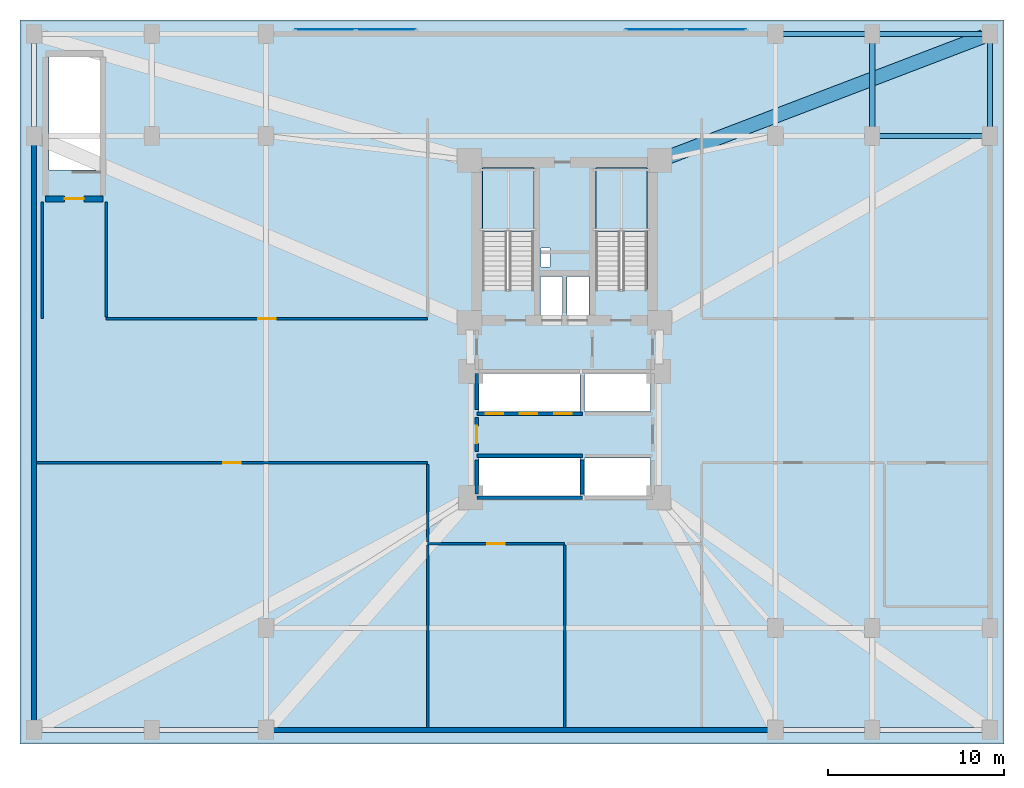
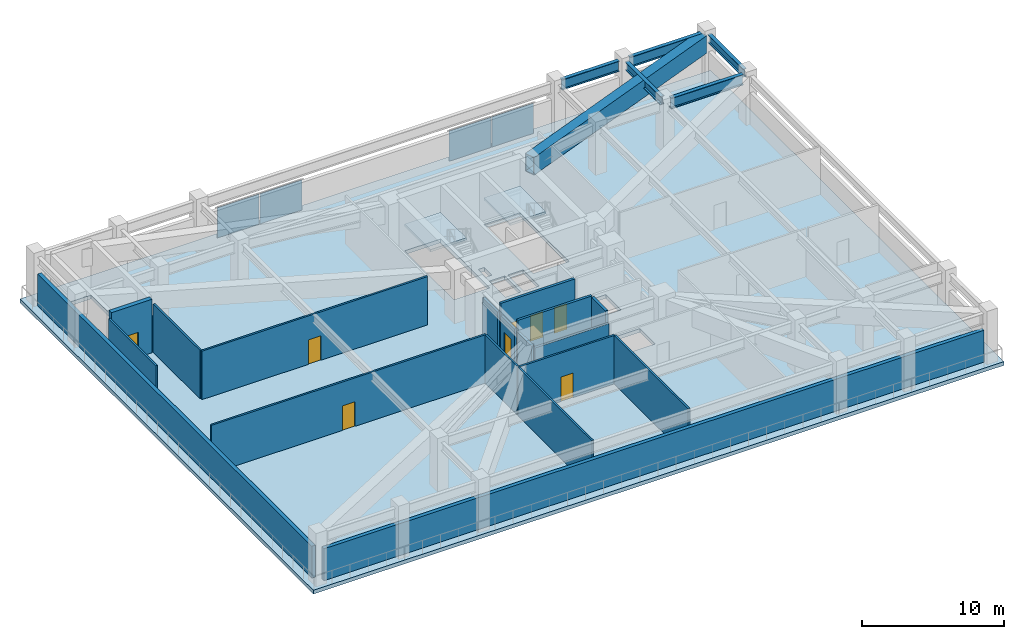
# One storey, part 5 of 9: 18 walls, 8 doors, 6 beams, 4 plates, 3 slabs, 8 openings, 4 elements without a shape of their own.
"""IFC4 building model written with IfcOpenShell, lengths in metres."""

from ifc_helpers import new_model, si_unit, direction, frame, frame_2d, origin, origin_2d, place, context, subcontext, project, spatial, polyline, rectangle, hollow_rectangle, i_section, outline, extrude, source, transform, mapped, material, layer, layer_set, material_profile, profile_set, type_object, type_shapes, element, fill, aggregate, save


model = new_model("IFC4")

# Units and contexts
model_context = context("Model", 3, precision=1e-05, world=origin(), true_north=direction((0.0, 1.0)))
body_context = subcontext(model_context, "Body", "Model", "MODEL_VIEW")
ifc_project = project(units=[si_unit("LENGTHUNIT", "METRE"), si_unit("AREAUNIT", "SQUARE_METRE"), si_unit("VOLUMEUNIT", "CUBIC_METRE"), si_unit("PLANEANGLEUNIT", "RADIAN"), si_unit("MASSUNIT", "GRAM", prefix="KILO")], contexts=[model_context])

# Site, building, storey
site_placement = place(None, origin())
site = spatial("IfcSite", under=ifc_project, at=site_placement, CompositionType="ELEMENT")
building_placement = place(site_placement, origin())
building = spatial("IfcBuilding", under=site, at=building_placement, Name="Varnakorn Sky Granary", CompositionType="ELEMENT")
storey_placement = place(building_placement, frame((0.0, 0.0, 23.0)))
storey = spatial("IfcBuildingStorey", under=building, at=storey_placement, Name="L05", CompositionType="ELEMENT", Elevation=23.0)

# Beams
ifc_material_1 = material(Name="Steel S355JR", Category="steel")
ifc_material_profile_1 = material_profile(ifc_material_1, i_section(OverallWidth=0.300048828125, OverallDepth=0.699951171875, WebThickness=0.01708984375, FlangeThickness=0.031982421875, at=origin_2d()), Name="HE 700 B")
ifc_profile_set_1 = profile_set([ifc_material_profile_1], Name="Steel S355JR")
beam_type_1 = type_object("IfcBeamType", Name="BM-PG-700", PredefinedType="T_BEAM", material=ifc_profile_set_1)
for number, where, z_axis, x_axis, name in (
    (1, (20.5, 14.419921875, 3.800048828125), (0.0, 1.0, 0.0), (-1.0, 0.0, 0.0), "Podium Y-Girder GY29 L05"),
    (2, (27.199951171875, 14.419921875, 3.800048828125), (0.0, 1.0, 0.0), (-1.0, 0.0, 0.0), "Podium Y-Girder GY32 L05"),
):
    element("IfcBeam", number, at=place(storey_placement, frame(where, z_axis=z_axis, x_axis=x_axis)), inside=storey, type_object=beam_type_1, Name=name, PredefinedType="T_BEAM", context=body_context, shape_type="SweptSolid", body=[
        extrude(i_section(OverallWidth=0.300048828125, OverallDepth=0.699951171875, WebThickness=0.01708984375, FlangeThickness=0.031982421875, at=origin_2d()), origin(), (0.0, 0.0, 1.0), 4.9599609375),
    ])
ifc_material_profile_2 = material_profile(ifc_material_1, i_section(OverallWidth=0.300048828125, OverallDepth=0.89990234375, WebThickness=0.0185546875, FlangeThickness=0.034912109375, at=origin_2d()), Name="HE 900 B")
ifc_profile_set_2 = profile_set([ifc_material_profile_2], Name="Steel S355JR")
beam_type_2 = type_object("IfcBeamType", Name="BM-PG-900", PredefinedType="BEAM", material=ifc_profile_set_2)
beam_1_placement = place(storey_placement, frame((20.919921875, 14.0, 3.699951171875), z_axis=(1.0, 0.0, 0.0), x_axis=(0.0, 1.0, 0.0)))
element("IfcBeam", 3, at=beam_1_placement, inside=storey, type_object=beam_type_2, Name="Podium X-Girder GX13 L05", PredefinedType="BEAM", context=body_context, shape_type="SweptSolid", body=[
    extrude(i_section(OverallWidth=0.300048828125, OverallDepth=0.89990234375, WebThickness=0.0185546875, FlangeThickness=0.034912109375, at=origin_2d()), origin(), (0.0, 0.0, 1.0), 5.860107421875),
])
beam_2_placement = place(storey_placement, frame((15.419921875, 19.800048828125, 3.699951171875), z_axis=(1.0, 0.0, 0.0), x_axis=(0.0, 1.0, 0.0)))
element("IfcBeam", 4, at=beam_2_placement, inside=storey, type_object=beam_type_2, Name="Podium X-Girder GX17 L05", PredefinedType="BEAM", context=body_context, shape_type="SweptSolid", body=[
    extrude(i_section(OverallWidth=0.300048828125, OverallDepth=0.89990234375, WebThickness=0.0185546875, FlangeThickness=0.034912109375, at=origin_2d()), origin(), (0.0, 0.0, 1.0), 4.66015625),
])
beam_3_placement = place(storey_placement, frame((20.919921875, 19.800048828125, 3.699951171875), z_axis=(1.0, 0.0, 0.0), x_axis=(0.0, 1.0, 0.0)))
element("IfcBeam", 5, at=beam_3_placement, inside=storey, type_object=beam_type_2, Name="Podium X-Girder GX18 L05", PredefinedType="BEAM", context=body_context, shape_type="SweptSolid", body=[
    extrude(i_section(OverallWidth=0.300048828125, OverallDepth=0.89990234375, WebThickness=0.0185546875, FlangeThickness=0.034912109375, at=origin_2d()), origin(), (0.0, 0.0, 1.0), 5.860107421875),
])
ifc_material_2 = material(Name="Steel S460M", Category="steel")
ifc_material_profile_3 = material_profile(ifc_material_2, hollow_rectangle(XDim=0.800048828125, YDim=1.5, WallThickness=0.0400390625, at=origin_2d()), Name="BOX 800x1500x40")
ifc_profile_set_3 = profile_set([ifc_material_profile_3], Name="Steel S460M")
beam_type_3 = type_object("IfcBeamType", Name="BM-TB-1500", PredefinedType="BEAM", material=ifc_profile_set_3)
beam_4_placement = place(storey_placement, frame((8.812255859375, 12.77001953125, 3.39990234375), z_axis=(0.93406389454, 0.357105923946, 0.0), x_axis=(-0.357105923946, 0.93406389454, 0.0)))
element("IfcBeam", 6, at=beam_4_placement, inside=storey, type_object=beam_type_3, Name="Podium Drum Transfer Box Girder 8", PredefinedType="BEAM", context=body_context, shape_type="SweptSolid", body=[
    extrude(hollow_rectangle(XDim=0.800048828125, YDim=1.5, WallThickness=0.0400390625, at=origin_2d()), origin(), (0.0, 0.0, 1.0), 19.265625),
])

# Stair, slab
ifc_material_3 = material(Name="Concrete C40/50", Category="concrete")
stair_type = type_object("IfcStairType", Name="ST-MAIN-ASSEMBLY", PredefinedType="HALF_TURN_STAIR", material=ifc_material_3)
stair_1_placement = place(storey_placement, origin())
stair_1 = element("IfcStair", 7, at=stair_1_placement, inside=storey, type_object=stair_type, Name="L05 Protected Exit Stair ST-1", PredefinedType="HALF_TURN_STAIR")
ifc_layer_1 = layer(ifc_material_3, 0.199951171875, Name="Concrete C40/50")
ifc_layer_set_1 = layer_set([ifc_layer_1], Name="Concrete C40/50")
slab_type_1 = type_object("IfcSlabType", Name="ST-MAIN-LAND", PredefinedType="LANDING", material=ifc_layer_set_1)
slab_1_placement = place(storey_placement, frame((0.0, 0.0, 2.10009765625)))
slab_1 = element("IfcSlab", 8, at=slab_1_placement, type_object=slab_type_1, Name="ST-1 landing 1", PredefinedType="LANDING", context=body_context, shape_type="SweptSolid", body=[
    extrude(outline(polyline([(1.239990234375, 8.56005859375), (1.239990234375, 12.179931640625), (-1.669921875, 12.179931640625), (-1.669921875, 8.56005859375), (1.239990234375, 8.56005859375)])), origin(), (0.0, 0.0, 1.0), 0.199951171875),
])
aggregate(stair_1, [slab_1])

stair_2_placement = place(storey_placement, origin())
stair_2 = element("IfcStair", 9, at=stair_2_placement, inside=storey, type_object=stair_type, Name="L05 Protected Exit Stair ST-2", PredefinedType="HALF_TURN_STAIR")
slab_2_placement = place(storey_placement, frame((0.0, 0.0, 2.10009765625)))
slab_2 = element("IfcSlab", 10, at=slab_2_placement, type_object=slab_type_1, Name="ST-2 landing 1", PredefinedType="LANDING", context=body_context, shape_type="SweptSolid", body=[
    extrude(outline(polyline([(7.679931640625, 8.56005859375), (7.679931640625, 12.179931640625), (4.77001953125, 12.179931640625), (4.77001953125, 8.56005859375), (7.679931640625, 8.56005859375)])), origin(), (0.0, 0.0, 1.0), 0.199951171875),
])
aggregate(stair_2, [slab_2])

# Slab
ifc_material_4 = material(Name="Concrete C50/60", Category="concrete")
ifc_layer_2 = layer(ifc_material_4, 0.320068359375, Name="Concrete C50/60")
ifc_layer_set_2 = layer_set([ifc_layer_2], Name="Concrete C50/60")
slab_type_2 = type_object("IfcSlabType", Name="ST-SL-POD-320", PredefinedType="FLOOR", material=ifc_layer_set_2)
slab_3_placement = place(storey_placement, frame((0.0, 0.0, -0.320068359375)))
element("IfcSlab", 11, at=slab_3_placement, inside=storey, type_object=slab_type_2, Name="Level L05 Structural Floor Slab", PredefinedType="FLOOR", context=body_context, shape_type="SweptSolid", body=[
    extrude(outline(polyline([(-28.0, -20.60009765625), (28.0, -20.60009765625), (28.0, 20.60009765625), (-28.0, 20.60009765625), (-28.0, -20.60009765625)]), holes=[polyline([(1.239990234375, 5.27490234375), (1.239990234375, 12.179931640625), (-1.669921875, 12.179931640625), (-1.669921875, 5.27490234375), (1.239990234375, 5.27490234375)]), polyline([(7.679931640625, 5.27490234375), (7.679931640625, 12.179931640625), (4.77001953125, 12.179931640625), (4.77001953125, 5.27490234375), (7.679931640625, 5.27490234375)]), polyline([(-23.449951171875, 12.054931640625), (-23.449951171875, 18.5), (-26.360107421875, 18.5), (-26.360107421875, 12.054931640625), (-23.449951171875, 12.054931640625)]), polyline([(1.659912109375, 6.550048828125), (2.14990234375, 6.550048828125), (2.14990234375, 7.6201171875), (1.659912109375, 7.6201171875), (1.659912109375, 6.550048828125)]), polyline([(1.6201171875, 3.739990234375), (2.8798828125, 3.739990234375), (2.8798828125, 6.010009765625), (1.6201171875, 6.010009765625), (1.6201171875, 3.739990234375)]), polyline([(3.1201171875, 3.739990234375), (4.3798828125, 3.739990234375), (4.3798828125, 6.010009765625), (3.1201171875, 6.010009765625), (3.1201171875, 3.739990234375)]), polyline([(-1.8798828125, -1.679931640625), (3.8798828125, -1.679931640625), (3.8798828125, 0.47998046875), (-1.8798828125, 0.47998046875), (-1.8798828125, -1.679931640625)]), polyline([(4.1201171875, -1.679931640625), (7.8798828125, -1.679931640625), (7.8798828125, 0.47998046875), (4.1201171875, 0.47998046875), (4.1201171875, -1.679931640625)]), polyline([(-1.8798828125, -6.47998046875), (3.8798828125, -6.47998046875), (3.8798828125, -4.320068359375), (-1.8798828125, -4.320068359375), (-1.8798828125, -6.47998046875)]), polyline([(4.1201171875, -6.47998046875), (7.8798828125, -6.47998046875), (7.8798828125, -4.320068359375), (4.1201171875, -4.320068359375), (4.1201171875, -6.47998046875)])]), origin(), (0.0, 0.0, 1.0), 0.320068359375),
])

# Curtain wall, plates
ifc_material_5 = material(Name="Anodised Bronze Aluminium Alloy 6063-T6", Category="aluminium")
ifc_layer_3 = layer(ifc_material_5, 0.2099609375, Name="Anodised Bronze Aluminium Alloy 6063-T6")
ifc_layer_set_3 = layer_set([ifc_layer_3], Name="Anodised Bronze Aluminium Alloy 6063-T6")
curtain_wall_type = type_object("IfcCurtainWallType", Name="CW-POD-2", PredefinedType="USERDEFINED", material=ifc_layer_set_3)
curtain_wall_1_placement = place(storey_placement, origin())
curtain_wall_1 = element("IfcCurtainWall", 12, at=curtain_wall_1_placement, inside=storey, type_object=curtain_wall_type, Name="Unitised Curtain Wall CW2 CW-L05-P1", ObjectType="CURTAIN WALL", PredefinedType="USERDEFINED")
ifc_material_6 = material(Name="Low-E Tinted Laminated Glass", Category="glass")
ifc_layer_4 = layer(ifc_material_6, 0.030029296875, Name="Low-E Tinted Laminated Glass")
ifc_layer_set_4 = layer_set([ifc_layer_4], Name="Low-E Tinted Laminated Glass")
plate_type = type_object("IfcPlateType", Name="CW-POD-2-PNL", PredefinedType="CURTAIN_PANEL")
shared_shape = source(origin(), body_context, "Body", "SweptSolid", [
    extrude(rectangle(XDim=3.387451171875, YDim=0.030029296875, at=origin_2d()), origin(), (0.0, 0.0, 1.0), 2.590087890625),
])
type_shapes(plate_type, [shared_shape])
plate_1_placement = place(storey_placement, frame((-10.63134765625, 20.050048828125, 0.06982421875), z_axis=(0.0, 0.0, 1.0), x_axis=(1.0, 0.0, 0.0)))
plate_1 = element("IfcPlate", 13, at=plate_1_placement, type_object=plate_type, material=ifc_layer_set_4, Name="CW2 vision glazing unit 1.1", PredefinedType="CURTAIN_PANEL", context=body_context, shape_type="MappedRepresentation", body=[
    mapped(shared_shape, transform((0.0, 0.0, 0.0), x_axis=(1.0, 0.0, 0.0), y_axis=(0.0, 1.0, 0.0), z_axis=(0.0, 0.0, 1.0), scale=1.0)),
])
plate_2_placement = place(storey_placement, frame((-7.168701171875, 20.050048828125, 0.06982421875), z_axis=(0.0, 0.0, 1.0), x_axis=(1.0, 0.0, 0.0)))
plate_2 = element("IfcPlate", 14, at=plate_2_placement, type_object=plate_type, material=ifc_layer_set_4, Name="CW2 vision glazing unit 2.1", PredefinedType="CURTAIN_PANEL", context=body_context, shape_type="MappedRepresentation", body=[
    mapped(shared_shape, transform((0.0, 0.0, 0.0), x_axis=(1.0, 0.0, 0.0), y_axis=(0.0, 1.0, 0.0), z_axis=(0.0, 0.0, 1.0), scale=1.0)),
])
aggregate(curtain_wall_1, [plate_1, plate_2])

curtain_wall_2_placement = place(storey_placement, origin())
curtain_wall_2 = element("IfcCurtainWall", 15, at=curtain_wall_2_placement, inside=storey, type_object=curtain_wall_type, Name="Unitised Curtain Wall CW2 CW-L05-P2", ObjectType="CURTAIN WALL", PredefinedType="USERDEFINED")
plate_3_placement = place(storey_placement, frame((8.168701171875, 20.050048828125, 0.06982421875), z_axis=(0.0, 0.0, 1.0), x_axis=(1.0, 0.0, 0.0)))
plate_3 = element("IfcPlate", 16, at=plate_3_placement, type_object=plate_type, material=ifc_layer_set_4, Name="CW2 vision glazing unit 1.1", PredefinedType="CURTAIN_PANEL", context=body_context, shape_type="MappedRepresentation", body=[
    mapped(shared_shape, transform((0.0, 0.0, 0.0), x_axis=(1.0, 0.0, 0.0), y_axis=(0.0, 1.0, 0.0), z_axis=(0.0, 0.0, 1.0), scale=1.0)),
])
plate_4_placement = place(storey_placement, frame((11.63134765625, 20.050048828125, 0.06982421875), z_axis=(0.0, 0.0, 1.0), x_axis=(1.0, 0.0, 0.0)))
plate_4 = element("IfcPlate", 17, at=plate_4_placement, type_object=plate_type, material=ifc_layer_set_4, Name="CW2 vision glazing unit 2.1", PredefinedType="CURTAIN_PANEL", context=body_context, shape_type="MappedRepresentation", body=[
    mapped(shared_shape, transform((0.0, 0.0, 0.0), x_axis=(1.0, 0.0, 0.0), y_axis=(0.0, 1.0, 0.0), z_axis=(0.0, 0.0, 1.0), scale=1.0)),
])
aggregate(curtain_wall_2, [plate_3, plate_4])

# Wall, opening, door
ifc_layer_5 = layer(ifc_material_4, 0.35009765625, Name="Concrete C50/60")
ifc_layer_set_5 = layer_set([ifc_layer_5], Name="Concrete C50/60")
wall_type_1 = type_object("IfcWallType", Name="WT-CW-INT-350", PredefinedType="SHEAR", material=ifc_layer_set_5)
wall_1_placement = place(storey_placement, frame((-26.550048828125, 10.419921875, 0.0), z_axis=(0.0, 0.0, 1.0), x_axis=(1.0, 0.0, 0.0)))
wall_1 = element("IfcWall", 18, at=wall_1_placement, inside=storey, type_object=wall_type_1, Name="Podium Stair ST-B3 South Wall L05", PredefinedType="SHEAR", context=body_context, shape_type="SweptSolid", body=[
    extrude(rectangle(XDim=3.280029296875, YDim=0.35009765625, at=frame_2d((1.64013671875, 0.0))), origin(), (0.0, 0.0, 1.0), 4.592041015625),
])
opening_1_placement = place(wall_1_placement, frame((1.090087890625, 0.0, 0.0)))
opening_1 = element("IfcOpeningElement", 19, at=opening_1_placement, cuts=wall_1, Name="Opening FD-90", PredefinedType="OPENING", context=body_context, shape_type="SweptSolid", body=[
    extrude(rectangle(XDim=1.10009765625, YDim=2.14990234375, at=frame_2d((0.550048828125, 1.074951171875))), frame((0.0, 0.18505859375, 0.0), z_axis=(0.0, -1.0, 0.0), x_axis=(1.0, 0.0, 0.0)), (0.0, 0.0, 1.0), 0.3701171875),
])
ifc_material_7 = material(Name="Galvanised Painted Steel Leaf", Category="steel")
door_type_1 = type_object("IfcDoorType", Name="DR-STAIR-1100", OperationType="NOTDEFINED", PredefinedType="DOOR", material=ifc_material_7)
door_1_placement = place(opening_1_placement, origin())
door_1 = element("IfcDoor", 20, at=door_1_placement, inside=storey, type_object=door_type_1, Name="Basement Stair ST-B3 Protected Fire Door L05", OperationType="SINGLE_SWING_LEFT", OverallHeight=2.14990234375, OverallWidth=1.10009765625, PredefinedType="DOOR", context=body_context, shape_type="SweptSolid", body=[
    extrude(rectangle(XDim=1.10009765625, YDim=2.14990234375, at=frame_2d((0.550048828125, 1.074951171875))), frame((0.0, 0.02490234375, 0.0), z_axis=(0.0, -1.0, 0.0), x_axis=(1.0, 0.0, 0.0)), (0.0, 0.0, 1.0), 0.050048828125),
])
fill(opening_1, door_1)

# Walls
ifc_material_8 = material(Name="Precast concrete C40/50", Category="concrete")
ifc_layer_6 = layer(ifc_material_8, 0.300048828125, Name="Precast concrete C40/50")
ifc_layer_set_6 = layer_set([ifc_layer_6], Name="Precast concrete C40/50")
wall_type_2 = type_object("IfcWallType", Name="WT-EW-POD-300", PredefinedType="SOLIDWALL", material=ifc_layer_set_6)
wall_2_placement = place(storey_placement, frame((-27.199951171875, -19.2548828125, 0.0), z_axis=(0.0, 0.0, 1.0), x_axis=(0.0, 1.0, 0.0)))
element("IfcWall", 21, at=wall_2_placement, inside=storey, type_object=wall_type_2, Name="Podium Exterior Facade Wall L05-W", PredefinedType="SOLIDWALL", context=body_context, shape_type="SweptSolid", body=[
    extrude(rectangle(XDim=38.509765625, YDim=0.300048828125, at=frame_2d((19.2548828125, 0.0))), origin(), (0.0, 0.0, 1.0), 2.72998046875),
])
wall_3_placement = place(storey_placement, frame((26.7548828125, -19.800048828125, 0.0), z_axis=(0.0, 0.0, 1.0), x_axis=(-1.0, 0.0, 0.0)))
element("IfcWall", 22, at=wall_3_placement, inside=storey, type_object=wall_type_2, Name="Podium Exterior Facade Wall L05-S", PredefinedType="SOLIDWALL", context=body_context, shape_type="SweptSolid", body=[
    extrude(rectangle(XDim=53.509765625, YDim=0.300048828125, at=frame_2d((26.7548828125, 0.0))), origin(), (0.0, 0.0, 1.0), 2.72998046875),
])

# Wall, opening, door
ifc_material_9 = material(Name="Autoclaved Aerated Concrete Blockwork", Category="masonry")
ifc_layer_7 = layer(ifc_material_9, 0.199951171875, Name="Autoclaved Aerated Concrete Blockwork")
ifc_layer_set_7 = layer_set([ifc_layer_7], Name="Autoclaved Aerated Concrete Blockwork")
wall_type_3 = type_object("IfcWallType", Name="WT-FIRE-200", PredefinedType="MOVABLE", material=ifc_layer_set_7)
wall_4_placement = place(storey_placement, frame((-2.0, -3.969970703125, 0.0), z_axis=(0.0, 0.0, 1.0), x_axis=(0.0, 1.0, 0.0)))
wall_4 = element("IfcWall", 23, at=wall_4_placement, inside=storey, type_object=wall_type_3, Name="Interior Partition Wall L05-019", PredefinedType="MOVABLE", context=body_context, shape_type="SweptSolid", body=[
    extrude(rectangle(XDim=1.93994140625, YDim=0.199951171875, at=frame_2d((0.969970703125, 0.0))), origin(), (0.0, 0.0, 1.0), 3.23193359375),
])
opening_2_placement = place(wall_4_placement, frame((0.469970703125, 0.0, 0.0)))
opening_2 = element("IfcOpeningElement", 24, at=opening_2_placement, cuts=wall_4, Name="Opening FD-60", PredefinedType="OPENING", context=body_context, shape_type="SweptSolid", body=[
    extrude(rectangle(XDim=1.0, YDim=2.10009765625, at=frame_2d((0.5, 1.050048828125))), frame((0.0, 0.10986328125, 0.0), z_axis=(0.0, -1.0, 0.0), x_axis=(1.0, 0.0, 0.0)), (0.0, 0.0, 1.0), 0.219970703125),
])
ifc_material_10 = material(Name="Acoustic Timber Fire Leaf", Category="wood")
door_type_2 = type_object("IfcDoorType", Name="DR-FD60-1000", OperationType="NOTDEFINED", PredefinedType="DOOR", material=ifc_material_10)
door_2_placement = place(opening_2_placement, origin())
door_2 = element("IfcDoor", 25, at=door_2_placement, inside=storey, type_object=door_type_2, Name="Interior Door L05-019-1", OperationType="SINGLE_SWING_RIGHT", OverallHeight=2.10009765625, OverallWidth=1.0, PredefinedType="DOOR", context=body_context, shape_type="SweptSolid", body=[
    extrude(rectangle(XDim=1.0, YDim=2.10009765625, at=frame_2d((0.5, 1.050048828125))), frame((0.0, 0.02490234375, 0.0), z_axis=(0.0, -1.0, 0.0), x_axis=(1.0, 0.0, 0.0)), (0.0, 0.0, 1.0), 0.050048828125),
])
fill(opening_2, door_2)

ifc_material_11 = material(Name="Gypsum Plasterboard on Steel Stud", Category="steel")
ifc_layer_8 = layer(ifc_material_11, 0.14990234375, Name="Gypsum Plasterboard on Steel Stud")
ifc_layer_set_8 = layer_set([ifc_layer_8], Name="Gypsum Plasterboard on Steel Stud")
wall_type_4 = type_object("IfcWallType", Name="WT-PART-150", PredefinedType="PARTITIONING", material=ifc_layer_set_8)
wall_5_placement = place(storey_placement, frame((-4.800048828125, 3.60009765625, 0.0), z_axis=(0.0, 0.0, 1.0), x_axis=(-1.0, 0.0, 0.0)))
wall_5 = element("IfcWall", 26, at=wall_5_placement, inside=storey, type_object=wall_type_4, Name="Interior Partition Wall L05-021", PredefinedType="PARTITIONING", context=body_context, shape_type="SweptSolid", body=[
    extrude(rectangle(XDim=18.300048828125, YDim=0.14990234375, at=frame_2d((9.14990234375, 0.0))), origin(), (0.0, 0.0, 1.0), 4.14990234375),
])
opening_3_placement = place(wall_5_placement, frame((8.64990234375, 0.0, 0.0)))
opening_3 = element("IfcOpeningElement", 27, at=opening_3_placement, cuts=wall_5, Name="Opening ID-100", PredefinedType="OPENING", context=body_context, shape_type="SweptSolid", body=[
    extrude(rectangle(XDim=1.0, YDim=2.10009765625, at=frame_2d((0.5, 1.050048828125))), frame((0.0, 0.0849609375, 0.0), z_axis=(0.0, -1.0, 0.0), x_axis=(1.0, 0.0, 0.0)), (0.0, 0.0, 1.0), 0.169921875),
])
ifc_material_12 = material(Name="Solid-Core Teak Veneer Leaf", Category="timber")
door_type_3 = type_object("IfcDoorType", Name="DR-INT-1000", OperationType="NOTDEFINED", PredefinedType="DOOR", material=ifc_material_12)
door_3_placement = place(opening_3_placement, origin())
door_3 = element("IfcDoor", 28, at=door_3_placement, inside=storey, type_object=door_type_3, Name="Interior Door L05-021-1", OperationType="SINGLE_SWING_RIGHT", OverallHeight=2.10009765625, OverallWidth=1.0, PredefinedType="DOOR", context=body_context, shape_type="SweptSolid", body=[
    extrude(rectangle(XDim=1.0, YDim=2.10009765625, at=frame_2d((0.5, 1.050048828125))), frame((0.0, 0.02490234375, 0.0), z_axis=(0.0, -1.0, 0.0), x_axis=(1.0, 0.0, 0.0)), (0.0, 0.0, 1.0), 0.050048828125),
])
fill(opening_3, door_3)

wall_6_placement = place(storey_placement, frame((-27.050048828125, -4.60009765625, 0.0), z_axis=(0.0, 0.0, 1.0), x_axis=(1.0, 0.0, 0.0)))
wall_6 = element("IfcWall", 29, at=wall_6_placement, inside=storey, type_object=wall_type_4, Name="Interior Partition Wall L05-023", PredefinedType="PARTITIONING", context=body_context, shape_type="SweptSolid", body=[
    extrude(rectangle(XDim=22.25, YDim=0.14990234375, at=frame_2d((11.125, 0.0))), origin(), (0.0, 0.0, 1.0), 4.14990234375),
])
opening_4_placement = place(wall_6_placement, frame((10.625, 0.0, 0.0)))
opening_4 = element("IfcOpeningElement", 30, at=opening_4_placement, cuts=wall_6, Name="Opening ID-100", PredefinedType="OPENING", context=body_context, shape_type="SweptSolid", body=[
    extrude(rectangle(XDim=1.0, YDim=2.10009765625, at=frame_2d((0.5, 1.050048828125))), frame((0.0, 0.0849609375, 0.0), z_axis=(0.0, -1.0, 0.0), x_axis=(1.0, 0.0, 0.0)), (0.0, 0.0, 1.0), 0.169921875),
])
door_4_placement = place(opening_4_placement, origin())
door_4 = element("IfcDoor", 31, at=door_4_placement, inside=storey, type_object=door_type_3, Name="Interior Door L05-023-1", OperationType="SINGLE_SWING_RIGHT", OverallHeight=2.10009765625, OverallWidth=1.0, PredefinedType="DOOR", context=body_context, shape_type="SweptSolid", body=[
    extrude(rectangle(XDim=1.0, YDim=2.10009765625, at=frame_2d((0.5, 1.050048828125))), frame((0.0, 0.02490234375, 0.0), z_axis=(0.0, -1.0, 0.0), x_axis=(1.0, 0.0, 0.0)), (0.0, 0.0, 1.0), 0.050048828125),
])
fill(opening_4, door_4)

wall_7_placement = place(storey_placement, frame((-4.800048828125, -9.199951171875, 0.0), z_axis=(0.0, 0.0, 1.0), x_axis=(1.0, 0.0, 0.0)))
wall_7 = element("IfcWall", 32, at=wall_7_placement, inside=storey, type_object=wall_type_4, Name="Interior Partition Wall L05-026", PredefinedType="PARTITIONING", context=body_context, shape_type="SweptSolid", body=[
    extrude(rectangle(XDim=7.800048828125, YDim=0.14990234375, at=frame_2d((3.89990234375, 0.0))), origin(), (0.0, 0.0, 1.0), 4.14990234375),
])
opening_5_placement = place(wall_7_placement, frame((3.39990234375, 0.0, 0.0)))
opening_5 = element("IfcOpeningElement", 33, at=opening_5_placement, cuts=wall_7, Name="Opening ID-100", PredefinedType="OPENING", context=body_context, shape_type="SweptSolid", body=[
    extrude(rectangle(XDim=1.0, YDim=2.10009765625, at=frame_2d((0.5, 1.050048828125))), frame((0.0, 0.0849609375, 0.0), z_axis=(0.0, -1.0, 0.0), x_axis=(1.0, 0.0, 0.0)), (0.0, 0.0, 1.0), 0.169921875),
])
door_5_placement = place(opening_5_placement, origin())
door_5 = element("IfcDoor", 34, at=door_5_placement, inside=storey, type_object=door_type_3, Name="Interior Door L05-026-1", OperationType="SINGLE_SWING_LEFT", OverallHeight=2.10009765625, OverallWidth=1.0, PredefinedType="DOOR", context=body_context, shape_type="SweptSolid", body=[
    extrude(rectangle(XDim=1.0, YDim=2.10009765625, at=frame_2d((0.5, 1.050048828125))), frame((0.0, 0.02490234375, 0.0), z_axis=(0.0, -1.0, 0.0), x_axis=(1.0, 0.0, 0.0)), (0.0, 0.0, 1.0), 0.050048828125),
])
fill(opening_5, door_5)

# Walls
wall_8_placement = place(storey_placement, frame((-23.10009765625, 3.68505859375, 0.0), z_axis=(0.0, 0.0, 1.0), x_axis=(0.0, 1.0, 0.0)))
element("IfcWall", 35, at=wall_8_placement, inside=storey, type_object=wall_type_4, Name="Interior Partition Wall L05-030", PredefinedType="PARTITIONING", context=body_context, shape_type="SweptSolid", body=[
    extrude(rectangle(XDim=6.56494140625, YDim=0.14990234375, at=frame_2d((3.282470703125, 0.0))), origin(), (0.0, 0.0, 1.0), 4.14990234375),
])
wall_9_placement = place(storey_placement, frame((-26.72998046875, 10.25, 0.0), z_axis=(0.0, 0.0, 1.0), x_axis=(0.0, -1.0, 0.0)))
element("IfcWall", 36, at=wall_9_placement, inside=storey, type_object=wall_type_4, Name="Interior Partition Wall L05-031", PredefinedType="PARTITIONING", context=body_context, shape_type="SweptSolid", body=[
    extrude(rectangle(XDim=6.64990234375, YDim=0.14990234375, at=frame_2d((3.324951171875, 0.0))), origin(), (0.0, 0.0, 1.0), 4.14990234375),
])
wall_10_placement = place(storey_placement, frame((-4.800048828125, -4.68505859375, 0.0), z_axis=(0.0, 0.0, 1.0), x_axis=(0.0, -1.0, 0.0)))
element("IfcWall", 37, at=wall_10_placement, inside=storey, type_object=wall_type_4, Name="Interior Partition Wall L05-033", PredefinedType="PARTITIONING", context=body_context, shape_type="SweptSolid", body=[
    extrude(rectangle(XDim=4.429931640625, YDim=0.14990234375, at=frame_2d((2.21484375, 0.0))), origin(), (0.0, 0.0, 1.0), 4.14990234375),
])
for number, where, z_axis, x_axis, name in (
    (38, (-4.800048828125, -9.284912109375, 0.0), (0.0, 0.0, 1.0), (0.0, -1.0, 0.0), "Interior Partition Wall L05-035"),
    (39, (3.0, -9.284912109375, 0.0), (0.0, 0.0, 1.0), (0.0, -1.0, 0.0), "Interior Partition Wall L05-039"),
):
    element("IfcWall", number, at=place(storey_placement, frame(where, z_axis=z_axis, x_axis=x_axis)), inside=storey, type_object=wall_type_4, Name=name, PredefinedType="PARTITIONING", context=body_context, shape_type="SweptSolid", body=[
        extrude(rectangle(XDim=10.364990234375, YDim=0.14990234375, at=frame_2d((5.1826171875, 0.0))), origin(), (0.0, 0.0, 1.0), 4.14990234375),
    ])

# Wall, openings, doors
ifc_layer_9 = layer(ifc_material_9, 0.199951171875, Name="Autoclaved Aerated Concrete Blockwork")
ifc_layer_set_9 = layer_set([ifc_layer_9], Name="Autoclaved Aerated Concrete Blockwork")
wall_type_5 = type_object("IfcWallType", Name="WT-SHAFT-200", PredefinedType="SOLIDWALL", material=ifc_layer_set_9)
wall_11_placement = place(storey_placement, frame((-2.0, -1.800048828125, 0.0), z_axis=(0.0, 0.0, 1.0), x_axis=(1.0, 0.0, 0.0)))
wall_11 = element("IfcWall", 40, at=wall_11_placement, inside=storey, type_object=wall_type_5, Name="Interior Partition Wall L05-004", PredefinedType="SOLIDWALL", context=body_context, shape_type="SweptSolid", body=[
    extrude(rectangle(XDim=6.0, YDim=0.199951171875, at=frame_2d((3.0, 0.0))), origin(), (0.0, 0.0, 1.0), 4.14990234375),
])
opening_6_placement = place(wall_11_placement, frame((0.5, 0.0, 0.0)))
opening_6 = element("IfcOpeningElement", 41, at=opening_6_placement, cuts=wall_11, Name="Opening LD-03", PredefinedType="OPENING", context=body_context, shape_type="SweptSolid", body=[
    extrude(rectangle(XDim=1.0, YDim=2.199951171875, at=frame_2d((0.5, 1.10009765625))), frame((0.0, 0.10986328125, 0.0), z_axis=(0.0, -1.0, 0.0), x_axis=(1.0, 0.0, 0.0)), (0.0, 0.0, 1.0), 0.219970703125),
])
opening_7_placement = place(wall_11_placement, frame((2.449951171875, 0.0, 0.0)))
opening_7 = element("IfcOpeningElement", 42, at=opening_7_placement, cuts=wall_11, Name="Opening LD-03", PredefinedType="OPENING", context=body_context, shape_type="SweptSolid", body=[
    extrude(rectangle(XDim=1.0, YDim=2.199951171875, at=frame_2d((0.5, 1.10009765625))), frame((0.0, 0.10986328125, 0.0), z_axis=(0.0, -1.0, 0.0), x_axis=(1.0, 0.0, 0.0)), (0.0, 0.0, 1.0), 0.219970703125),
])
opening_8_placement = place(wall_11_placement, frame((4.39990234375, 0.0, 0.0)))
opening_8 = element("IfcOpeningElement", 43, at=opening_8_placement, cuts=wall_11, Name="Opening LD-03", PredefinedType="OPENING", context=body_context, shape_type="SweptSolid", body=[
    extrude(rectangle(XDim=1.0, YDim=2.199951171875, at=frame_2d((0.5, 1.10009765625))), frame((0.0, 0.10986328125, 0.0), z_axis=(0.0, -1.0, 0.0), x_axis=(1.0, 0.0, 0.0)), (0.0, 0.0, 1.0), 0.219970703125),
])
ifc_material_13 = material(Name="Brushed Bronze Stainless Steel", Category="steel")
door_type_4 = type_object("IfcDoorType", Name="DR-LD-1000", OperationType="DOUBLE_DOOR_SLIDING", PredefinedType="DOOR", material=ifc_material_13)
door_6_placement = place(opening_6_placement, origin())
door_6 = element("IfcDoor", 44, at=door_6_placement, inside=storey, type_object=door_type_4, Name="Passenger Lift PL-L1 Sliding Landing Door L05", OperationType="DOUBLE_DOOR_SLIDING", OverallHeight=2.199951171875, OverallWidth=1.0, PredefinedType="DOOR", context=body_context, shape_type="SweptSolid", body=[
    extrude(rectangle(XDim=1.0, YDim=2.199951171875, at=frame_2d((0.5, 1.10009765625))), frame((0.0, 0.02490234375, 0.0), z_axis=(0.0, -1.0, 0.0), x_axis=(1.0, 0.0, 0.0)), (0.0, 0.0, 1.0), 0.050048828125),
])
fill(opening_6, door_6)
door_7_placement = place(opening_7_placement, origin())
door_7 = element("IfcDoor", 45, at=door_7_placement, inside=storey, type_object=door_type_4, Name="Passenger Lift PL-L2 Sliding Landing Door L05", OperationType="DOUBLE_DOOR_SLIDING", OverallHeight=2.199951171875, OverallWidth=1.0, PredefinedType="DOOR", context=body_context, shape_type="SweptSolid", body=[
    extrude(rectangle(XDim=1.0, YDim=2.199951171875, at=frame_2d((0.5, 1.10009765625))), frame((0.0, 0.02490234375, 0.0), z_axis=(0.0, -1.0, 0.0), x_axis=(1.0, 0.0, 0.0)), (0.0, 0.0, 1.0), 0.050048828125),
])
fill(opening_7, door_7)
door_8_placement = place(opening_8_placement, origin())
door_8 = element("IfcDoor", 46, at=door_8_placement, inside=storey, type_object=door_type_4, Name="Passenger Lift PL-L3 Sliding Landing Door L05", OperationType="DOUBLE_DOOR_SLIDING", OverallHeight=2.199951171875, OverallWidth=1.0, PredefinedType="DOOR", context=body_context, shape_type="SweptSolid", body=[
    extrude(rectangle(XDim=1.0, YDim=2.199951171875, at=frame_2d((0.5, 1.10009765625))), frame((0.0, 0.02490234375, 0.0), z_axis=(0.0, -1.0, 0.0), x_axis=(1.0, 0.0, 0.0)), (0.0, 0.0, 1.0), 0.050048828125),
])
fill(opening_8, door_8)

# Walls
wall_12_placement = place(storey_placement, frame((-2.0, -1.570068359375, 0.0), z_axis=(0.0, 0.0, 1.0), x_axis=(0.0, 1.0, 0.0)))
element("IfcWall", 47, at=wall_12_placement, inside=storey, type_object=wall_type_5, Name="Interior Partition Wall L05-005", PredefinedType="SOLIDWALL", context=body_context, shape_type="SweptSolid", body=[
    extrude(rectangle(XDim=2.050048828125, YDim=0.199951171875, at=frame_2d((1.02490234375, 0.0))), origin(), (0.0, 0.0, 1.0), 3.23193359375),
])
wall_13_placement = place(storey_placement, frame((-2.0, -4.199951171875, 0.0), z_axis=(0.0, 0.0, 1.0), x_axis=(1.0, 0.0, 0.0)))
element("IfcWall", 48, at=wall_13_placement, inside=storey, type_object=wall_type_5, Name="Interior Partition Wall L05-009", PredefinedType="SOLIDWALL", context=body_context, shape_type="SweptSolid", body=[
    extrude(rectangle(XDim=6.0, YDim=0.199951171875, at=frame_2d((3.0, 0.0))), origin(), (0.0, 0.0, 1.0), 4.14990234375),
])
wall_14_placement = place(storey_placement, frame((-2.0, -6.60009765625, 0.0), z_axis=(0.0, 0.0, 1.0), x_axis=(1.0, 0.0, 0.0)))
element("IfcWall", 49, at=wall_14_placement, inside=storey, type_object=wall_type_5, Name="Interior Partition Wall L05-010", PredefinedType="SOLIDWALL", context=body_context, shape_type="SweptSolid", body=[
    extrude(rectangle(XDim=6.0, YDim=0.199951171875, at=frame_2d((3.0, 0.0))), origin(), (0.0, 0.0, 1.0), 3.23193359375),
])
wall_15_placement = place(storey_placement, frame((-2.0, -6.3701171875, 0.0), z_axis=(0.0, 0.0, 1.0), x_axis=(0.0, 1.0, 0.0)))
element("IfcWall", 50, at=wall_15_placement, inside=storey, type_object=wall_type_5, Name="Interior Partition Wall L05-011", PredefinedType="SOLIDWALL", context=body_context, shape_type="SweptSolid", body=[
    extrude(rectangle(XDim=1.940185546875, YDim=0.199951171875, at=frame_2d((0.97021484375, 0.0))), origin(), (0.0, 0.0, 1.0), 3.23193359375),
])
wall_16_placement = place(storey_placement, frame((4.0, -6.3701171875, 0.0), z_axis=(0.0, 0.0, 1.0), x_axis=(0.0, 1.0, 0.0)))
element("IfcWall", 51, at=wall_16_placement, inside=storey, type_object=wall_type_5, Name="Interior Partition Wall L05-014", PredefinedType="SOLIDWALL", context=body_context, shape_type="SweptSolid", body=[
    extrude(rectangle(XDim=1.940185546875, YDim=0.199951171875, at=frame_2d((0.97021484375, 0.0))), origin(), (0.0, 0.0, 1.0), 4.14990234375),
])

save(model, "model.ifc")
